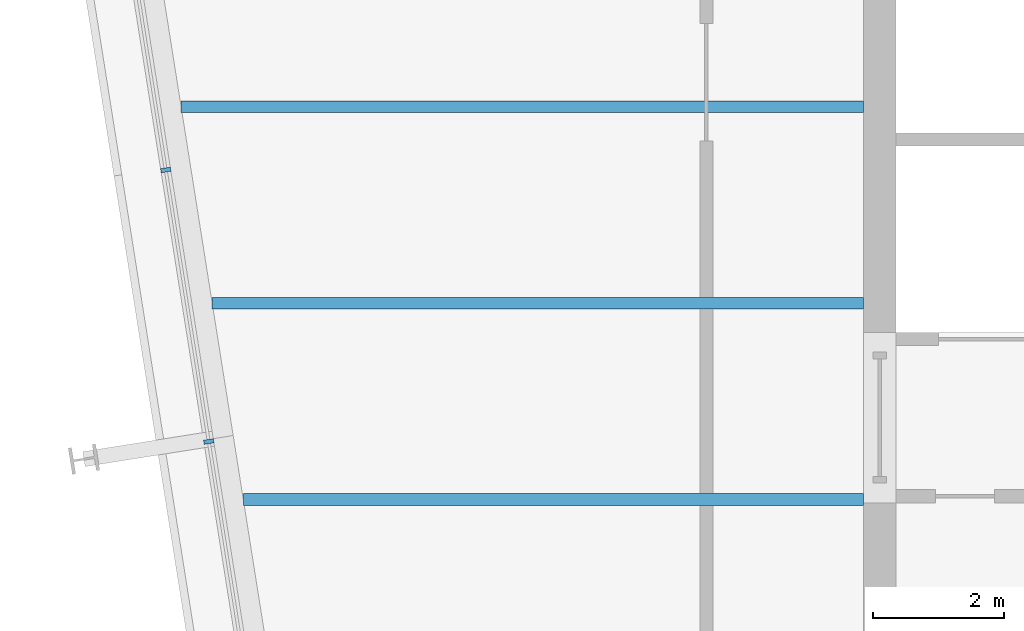
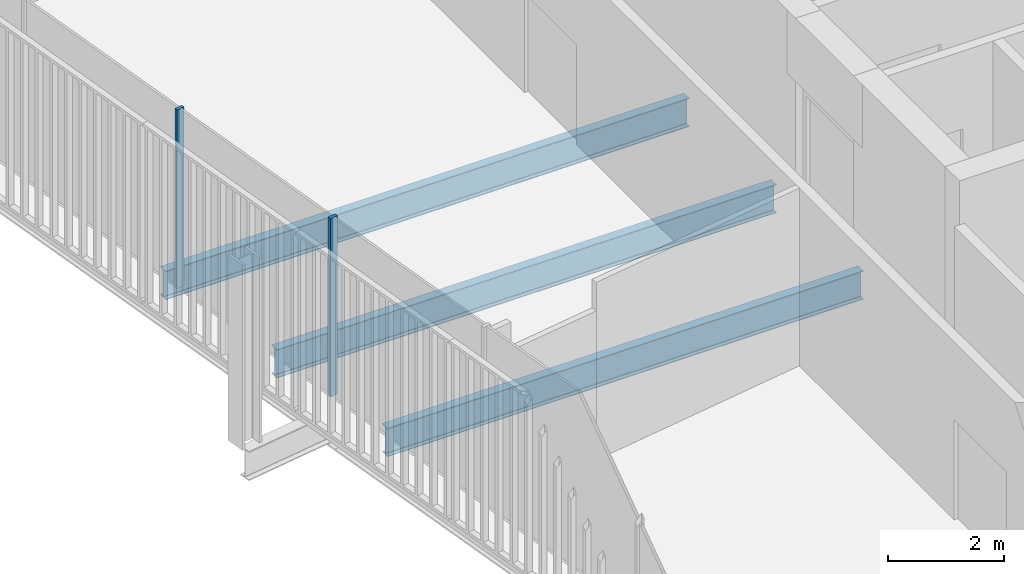
# One storey, part 4 of 20: 3 beams, 2 members, 1 element without a shape of its own.
"""IFC4 building model written with IfcOpenShell, lengths in metres."""

import ifcopenshell
import ifcopenshell.guid

model = None  # the IFC model being written
_history = None  # IfcOwnerHistory: only IFC2X3 demands one
_inside = {}  # id of a spatial element -> (the spatial element, [elements in it])
_under = {}  # id of a project, library or spatial element -> (it, [spatial elements below it])
_declared = {}  # id of a project -> (the project, [libraries it declares])
_typed = {}  # id of a type object -> (the type object, [elements of that type])
_made_of = {}  # id of a material, layer set ... -> (it, [elements and type objects made of it])


def new_model(schema):
    """Start an empty IFC model of exactly this schema.

    Asked for "IFC4X3", IfcOpenShell would pick the latest addendum, in which some entities
    have other attributes; the version numbers below select the first issue.
    IFC2X3 requires an IfcOwnerHistory on every rooted entity: one is made here for all.
    """
    global model, _history
    if schema == "IFC4X3":
        model = ifcopenshell.file(schema_version=(4, 3, 0, 0))
    else:
        model = ifcopenshell.file(schema=schema)
    _inside.clear()
    _under.clear()
    _declared.clear()
    _typed.clear()
    _made_of.clear()
    _history = None
    if model.schema == "IFC2X3":
        org = make("IfcOrganization", Name="unknown")
        user = make(
            "IfcPersonAndOrganization",
            ThePerson=make("IfcPerson", FamilyName="unknown"),
            TheOrganization=org,
        )
        app = make(
            "IfcApplication",
            ApplicationDeveloper=org,
            Version="unknown",
            ApplicationFullName="unknown",
            ApplicationIdentifier="unknown",
        )
        _history = make(
            "IfcOwnerHistory",
            OwningUser=user,
            OwningApplication=app,
            ChangeAction="ADDED",
            CreationDate=0,
        )
    return model


def make(cls, **values):
    """One entity of the class cls with the attributes given. An attribute that is None is left unset."""
    return model.create_entity(
        cls, **{name: value for name, value in values.items() if value is not None}
    )


def rooted(cls, **values):
    """An entity with a GlobalId (a new one), such as an element, a storey or a relation."""
    return make(cls, GlobalId=ifcopenshell.guid.new(), OwnerHistory=_history, **values)


def si_unit(unit_type, name, prefix=None):
    """IfcSIUnit, for example si_unit("LENGTHUNIT", "METRE", prefix="MILLI")."""
    return make("IfcSIUnit", UnitType=unit_type, Prefix=prefix, Name=name)


def assignment(units):
    """IfcUnitAssignment: the units of a project."""
    return None if units is None else make("IfcUnitAssignment", Units=units)


def point(xyz):
    """IfcCartesianPoint."""
    return None if xyz is None else make("IfcCartesianPoint", Coordinates=xyz)


def direction(xyz):
    """IfcDirection."""
    return None if xyz is None else make("IfcDirection", DirectionRatios=xyz)


def frame(location, z_axis=None, x_axis=None):
    """IfcAxis2Placement3D, a coordinate frame: its origin and axes. An axis left out is left unset."""
    return make(
        "IfcAxis2Placement3D",
        Location=point(location),
        Axis=direction(z_axis),
        RefDirection=direction(x_axis),
    )


def frame_2d(location, x_axis=None):
    """IfcAxis2Placement2D, a coordinate frame in the plane: its origin and x axis."""
    return make(
        "IfcAxis2Placement2D", Location=point(location), RefDirection=direction(x_axis)
    )


def origin():
    """The frame at (0, 0, 0) with its axes left unset."""
    return frame((0.0, 0.0, 0.0))


def origin_2d():
    """The frame at (0, 0) in the plane with its x axis left unset."""
    return frame_2d((0.0, 0.0))


def place(relative_to, where):
    """IfcLocalPlacement: puts the frame where relative to a parent placement (None: the world)."""
    return make(
        "IfcLocalPlacement", PlacementRelTo=relative_to, RelativePlacement=where
    )


def context(
    kind, dimensions, precision=None, world=None, true_north=None, identifier=None
):
    """IfcGeometricRepresentationContext, for example the 3D "Model" context."""
    return make(
        "IfcGeometricRepresentationContext",
        ContextIdentifier=identifier,
        ContextType=kind,
        CoordinateSpaceDimension=dimensions,
        Precision=precision,
        WorldCoordinateSystem=world,
        TrueNorth=true_north,
    )


def subcontext(parent, identifier, kind, view, scale=None):
    """IfcGeometricRepresentationSubContext, for example "Body" below "Model"."""
    return make(
        "IfcGeometricRepresentationSubContext",
        ContextIdentifier=identifier,
        ContextType=kind,
        ParentContext=parent,
        TargetScale=scale,
        TargetView=view,
    )


def project(units=None, contexts=None):
    """IfcProject with its units and contexts."""
    return rooted(
        "IfcProject",
        Name="project",
        RepresentationContexts=contexts,
        UnitsInContext=assignment(units),
    )


def spatial(cls, under=None, at=None, **own):
    """A site, building, storey or space (cls), placed at a placement, below another one or the project."""
    s = rooted(cls, ObjectPlacement=at, **own)
    if under is not None:
        _under.setdefault(under.id(), (under, []))[1].append(s)
    return s


def profile(cls, at=None, kind="AREA", **sizes):
    """A parametric profile (cls). Its sizes go by their IFC names, for example OverallWidth=200.0."""
    return make(cls, ProfileType=kind, Position=at, **sizes)


def rectangle(**sizes):
    """IfcRectangleProfileDef."""
    return profile("IfcRectangleProfileDef", **sizes)


def i_section(**sizes):
    """IfcIShapeProfileDef."""
    return profile("IfcIShapeProfileDef", **sizes)


def extrude(swept, where, along, depth):
    """IfcExtrudedAreaSolid: the profile swept, set in the frame where, extruded along a direction by depth."""
    return make(
        "IfcExtrudedAreaSolid",
        SweptArea=swept,
        Position=where,
        ExtrudedDirection=direction(along),
        Depth=depth,
    )


def shape(context_of_items, identifier, shape_type, items):
    """IfcShapeRepresentation: the items that make up one representation, for example the "Body"."""
    return make(
        "IfcShapeRepresentation",
        ContextOfItems=context_of_items,
        RepresentationIdentifier=identifier,
        RepresentationType=shape_type,
        Items=items,
    )


def material(Name=None, Category=None):
    """IfcMaterial."""
    return make("IfcMaterial", Name=Name, Category=Category)


def layer(
    of_material, thickness, ventilated=None, Name=None, Category=None, Priority=None
):
    """IfcMaterialLayer: one layer of a wall or slab, of a material (None: an air gap)."""
    return make(
        "IfcMaterialLayer",
        Material=of_material,
        LayerThickness=thickness,
        IsVentilated=ventilated,
        Name=Name,
        Category=Category,
        Priority=Priority,
    )


def layer_set(layers, Name=None):
    """IfcMaterialLayerSet."""
    return make("IfcMaterialLayerSet", MaterialLayers=layers, LayerSetName=Name)


def material_profile(
    of_material, cross_section, Name=None, Category=None, Priority=None
):
    """IfcMaterialProfile: a cross section and its material."""
    return make(
        "IfcMaterialProfile",
        Name=Name,
        Material=of_material,
        Profile=cross_section,
        Priority=Priority,
        Category=Category,
    )


def profile_set(profiles, Name=None, composite=None):
    """IfcMaterialProfileSet."""
    return make(
        "IfcMaterialProfileSet",
        Name=Name,
        MaterialProfiles=profiles,
        CompositeProfile=composite,
    )


def made_of(thing, what):
    """Note that an element or type object is made of a material, layer set ...; save() writes the relation."""
    if what is not None:
        _made_of.setdefault(what.id(), (what, []))[1].append(thing)
    return thing


def type_object(cls, material=None, **own):
    """A type object (cls), such as IfcWallType, which elements share."""
    return made_of(rooted(cls, **own), material)


def element(
    cls,
    number,
    at=None,
    inside=None,
    cuts=None,
    type_object=None,
    material=None,
    context=None,
    identifier="Body",
    shape_type=None,
    held_by="IfcProductDefinitionShape",
    body=None,
    shapes=None,
    **own,
):
    """One element of the class cls, such as IfcWall. Its Tag is "e" and its number.

    at: its placement. inside: the storey or other place that contains it. cuts: it is an
    opening in that element (IfcRelVoidsElement). A single representation is given by context,
    identifier, shape_type and body (its items); several are given by shapes. held_by: the class
    of the entity that holds the representations. save() writes the other relations.
    """
    e = rooted(cls, Tag="e%d" % number, ObjectPlacement=at, **own)
    if body is not None:
        shapes = [shape(context, identifier, shape_type, body)]
    if shapes is not None:
        e.Representation = make(held_by, Representations=shapes)
    if inside is not None:
        _inside.setdefault(inside.id(), (inside, []))[1].append(e)
    if cuts is not None:
        rooted(
            "IfcRelVoidsElement", RelatingBuildingElement=cuts, RelatedOpeningElement=e
        )
    if type_object is not None:
        _typed.setdefault(type_object.id(), (type_object, []))[1].append(e)
    return made_of(e, material)


def aggregate(whole, parts):
    """IfcRelAggregates: a whole, such as a stair, and the parts it consists of."""
    return rooted("IfcRelAggregates", RelatingObject=whole, RelatedObjects=parts)


def save(model, path):
    """Write the relations noted so far, then the file.

    IfcRelAggregates (storeys below a building ...), IfcRelContainedInSpatialStructure (elements
    in a storey), IfcRelDefinesByType, IfcRelAssociatesMaterial and IfcRelDeclares: one each for
    every whole, place, type object, material and project.
    """
    for whole, parts in _under.values():
        aggregate(whole, parts)
    for where, things in _inside.values():
        rooted(
            "IfcRelContainedInSpatialStructure",
            RelatedElements=things,
            RelatingStructure=where,
        )
    for kind, things in _typed.values():
        rooted("IfcRelDefinesByType", RelatedObjects=things, RelatingType=kind)
    for what, things in _made_of.values():
        rooted("IfcRelAssociatesMaterial", RelatedObjects=things, RelatingMaterial=what)
    for by, libraries in _declared.values():
        rooted("IfcRelDeclares", RelatingContext=by, RelatedDefinitions=libraries)
    model.write(path)


model = new_model("IFC4")

# Units and contexts
model_context = context("Model", 3, precision=1e-05, world=origin(), true_north=direction((0.0, 1.0)))
body_context = subcontext(model_context, "Body", "Model", "MODEL_VIEW")
ifc_project = project(units=[si_unit("LENGTHUNIT", "METRE"), si_unit("AREAUNIT", "SQUARE_METRE"), si_unit("VOLUMEUNIT", "CUBIC_METRE"), si_unit("PLANEANGLEUNIT", "RADIAN"), si_unit("MASSUNIT", "GRAM", prefix="KILO")], contexts=[model_context])

# Site, building, storey
site_placement = place(None, origin())
site = spatial("IfcSite", under=ifc_project, at=site_placement, CompositionType="ELEMENT")
building_placement = place(site_placement, origin())
building = spatial("IfcBuilding", under=site, at=building_placement, Name="Millrace Tower", CompositionType="ELEMENT")
storey_placement = place(building_placement, frame((0.0, 0.0, 259.10009765625)))
storey = spatial("IfcBuildingStorey", under=building, at=storey_placement, Name="L59", CompositionType="ELEMENT", Elevation=259.10009765625)

# Curtain wall, members
ifc_material_1 = material(Name="Aluminium and glass", Category="aluminium")
ifc_layer = layer(ifc_material_1, 0.14990234375)
ifc_layer_set = layer_set([ifc_layer], Name="Aluminium and glass")
curtain_wall_type = type_object("IfcCurtainWallType", Name="CW-1 office vision curtain wall", PredefinedType="NOTDEFINED", material=ifc_layer_set)
curtain_wall_placement = place(storey_placement, origin())
curtain_wall = element("IfcCurtainWall", 1, at=curtain_wall_placement, inside=storey, type_object=curtain_wall_type, Name="Curtain wall D-F08 L59", PredefinedType="NOTDEFINED")
ifc_material_2 = material(Name="Aluminium", Category="aluminium")
ifc_material_profile_1 = material_profile(ifc_material_2, rectangle(XDim=0.06494140625, YDim=0.14990234375, at=origin_2d()))
ifc_profile_set_1 = profile_set([ifc_material_profile_1], Name="Aluminium")
member_type = type_object("IfcMemberType", Name="CW-1 office vision curtain wall mullion", PredefinedType="MULLION", material=ifc_profile_set_1)
member_1_placement = place(storey_placement, frame((-25.057373046875, -0.966064453125, 0.139892578125), z_axis=(0.0, 0.0, 1.0), x_axis=(0.156434471884, -0.987688339511, 0.0)))
member_1 = element("IfcMember", 2, at=member_1_placement, type_object=member_type, Name="CW1 mullion D-F08.6", PredefinedType="MULLION", context=body_context, shape_type="SweptSolid", body=[
    extrude(rectangle(XDim=0.06494140625, YDim=0.14990234375, at=origin_2d()), origin(), (0.0, 0.0, 1.0), 3.760009765625),
])
member_2_placement = place(storey_placement, frame((-24.400390625, -5.1142578125, 0.139892578125), z_axis=(0.0, 0.0, 1.0), x_axis=(0.156434471884, -0.987688339511, 0.0)))
member_2 = element("IfcMember", 3, at=member_2_placement, type_object=member_type, Name="CW1 mullion D-F08.7", PredefinedType="MULLION", context=body_context, shape_type="SweptSolid", body=[
    extrude(rectangle(XDim=0.06494140625, YDim=0.14990234375, at=origin_2d()), origin(), (0.0, 0.0, 1.0), 3.760009765625),
])
aggregate(curtain_wall, [member_1, member_2])

# Beams
ifc_material_3 = material(Name="Steel ASTM A992 Grade 50", Category="steel")
ifc_material_profile_2 = material_profile(ifc_material_3, i_section(OverallWidth=0.177978515625, OverallDepth=0.599365234375, WebThickness=0.010009765625, FlangeThickness=0.012939453125, FilletRadius=0.012939453125, at=origin_2d()))
ifc_profile_set_2 = profile_set([ifc_material_profile_2], Name="Steel ASTM A992 Grade 50")
beam_type_1 = type_object("IfcBeamType", Name="Floor beam W24x55", PredefinedType="JOIST", material=ifc_profile_set_2)
beam_1_placement = place(storey_placement, frame((-23.872802734375, -6.0, -0.459716796875), z_axis=(1.0, 0.0, 0.0), x_axis=(0.0, 1.0, 0.0)))
element("IfcBeam", 4, at=beam_1_placement, inside=storey, type_object=beam_type_1, Name="BM-D-L59-S1-S009", PredefinedType="JOIST", context=body_context, shape_type="SweptSolid", body=[
    extrude(i_section(OverallWidth=0.177978515625, OverallDepth=0.599365234375, WebThickness=0.010009765625, FlangeThickness=0.012939453125, FilletRadius=0.012939453125, at=origin_2d()), origin(), (0.0, 0.0, 1.0), 9.472900390625),
])
beam_2_placement = place(storey_placement, frame((-24.34814453125, -3.0, -0.459716796875), z_axis=(1.0, 0.0, 0.0), x_axis=(0.0, 1.0, 0.0)))
element("IfcBeam", 5, at=beam_2_placement, inside=storey, type_object=beam_type_1, Name="BM-D-L59-S1-S012", PredefinedType="JOIST", context=body_context, shape_type="SweptSolid", body=[
    extrude(i_section(OverallWidth=0.177978515625, OverallDepth=0.599365234375, WebThickness=0.010009765625, FlangeThickness=0.012939453125, FilletRadius=0.012939453125, at=origin_2d()), origin(), (0.0, 0.0, 1.0), 9.9482421875),
])
ifc_material_4 = material(Name="Steel ASTM A992 Grade 50", Category="steel")
ifc_material_profile_3 = material_profile(ifc_material_4, i_section(OverallWidth=0.1787109375, OverallDepth=0.60205078125, WebThickness=0.010986328125, FlangeThickness=0.014892578125, FilletRadius=0.0126953125, at=origin_2d()))
ifc_profile_set_3 = profile_set([ifc_material_profile_3], Name="Steel ASTM A992 Grade 50")
beam_type_2 = type_object("IfcBeamType", Name="Floor beam W24x62", PredefinedType="JOIST", material=ifc_profile_set_3)
beam_3_placement = place(storey_placement, frame((-24.8232421875, 0.0, -0.461181640625), z_axis=(1.0, 0.0, 0.0), x_axis=(0.0, 1.0, 0.0)))
element("IfcBeam", 6, at=beam_3_placement, inside=storey, type_object=beam_type_2, Name="BM-D-L59-S1-S015", PredefinedType="JOIST", context=body_context, shape_type="SweptSolid", body=[
    extrude(i_section(OverallWidth=0.1787109375, OverallDepth=0.60205078125, WebThickness=0.010986328125, FlangeThickness=0.014892578125, FilletRadius=0.0126953125, at=origin_2d()), origin(), (0.0, 0.0, 1.0), 10.42333984375),
])

save(model, "model.ifc")
